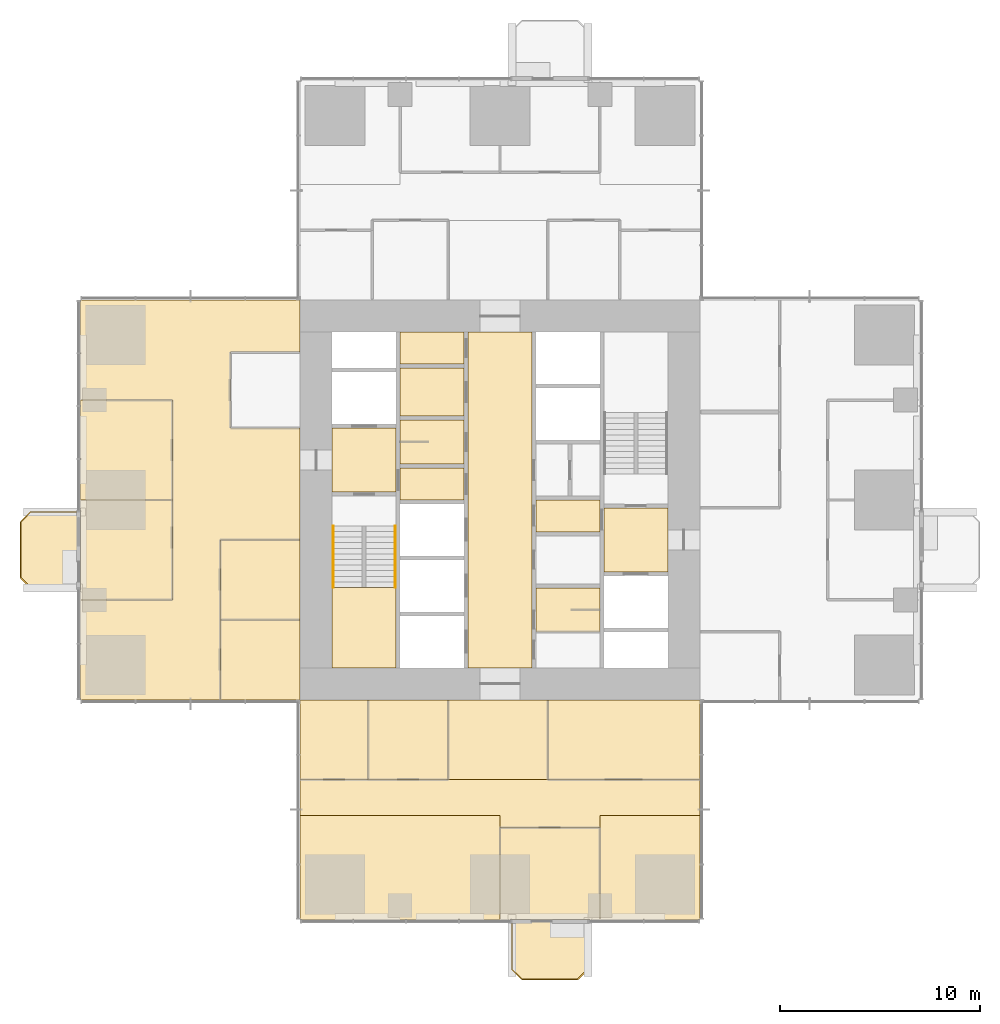
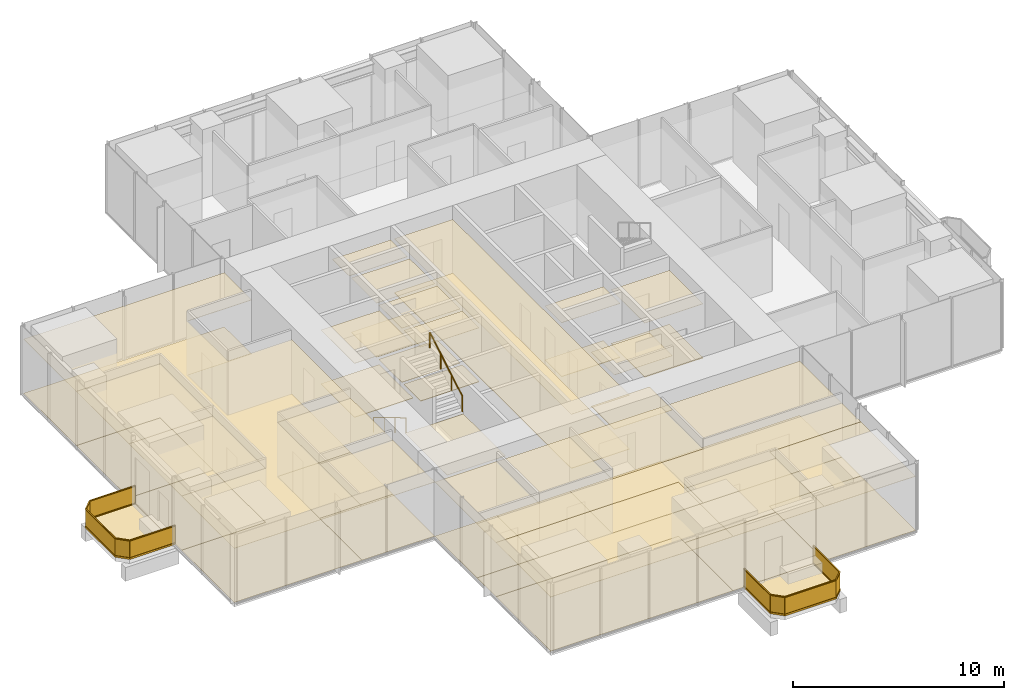
# One storey, part 12 of 14: 46 coverings, 4 railings.
"""IFC4 building model written with IfcOpenShell, lengths in metres."""

from ifc_helpers import new_model, si_unit, direction, frame, origin, origin_2d, place, context, subcontext, project, spatial, polyline, rectangle, circle, outline, extrude, material, layer, layer_set, type_object, element, save


model = new_model("IFC4")

# Units and contexts
model_context = context("Model", 3, precision=1e-05, world=origin(), true_north=direction((0.0, 1.0)))
body_context = subcontext(model_context, "Body", "Model", "MODEL_VIEW")
ifc_project = project(units=[si_unit("LENGTHUNIT", "METRE"), si_unit("AREAUNIT", "SQUARE_METRE"), si_unit("VOLUMEUNIT", "CUBIC_METRE"), si_unit("PLANEANGLEUNIT", "RADIAN"), si_unit("MASSUNIT", "GRAM", prefix="KILO")], contexts=[model_context])

# Site, building, storey
site_placement = place(None, origin())
site = spatial("IfcSite", under=ifc_project, at=site_placement, CompositionType="ELEMENT")
building_placement = place(site_placement, origin())
building = spatial("IfcBuilding", under=site, at=building_placement, Name="Svetlomir Tower", CompositionType="ELEMENT")
storey_placement = place(building_placement, frame((0.0, 0.0, 112.5)))
storey = spatial("IfcBuildingStorey", under=building, at=storey_placement, Name="L26", CompositionType="ELEMENT", Elevation=112.5)

# Railings
ifc_material_1 = material(Name="Bronze anodised aluminium and laminated glass", Category="aluminium")
railing_type_1 = type_object("IfcRailingType", Name="BALCONY GUARD GR1 1100", PredefinedType="GUARDRAIL", material=ifc_material_1)
railing_1_placement = place(storey_placement, frame((21.60009765625, 0.0, 0.0)))
element("IfcRailing", 1, at=railing_1_placement, inside=storey, type_object=railing_type_1, Name="Balcony guard S L26", PredefinedType="GUARDRAIL", context=body_context, shape_type="SweptSolid", body=[
    extrude(rectangle(XDim=0.06005859375, YDim=0.10009765625, at=origin_2d()), frame((0.0, 0.0, 0.050048828125), z_axis=(0.0, -1.0, 0.0), x_axis=(1.0, 0.0, 0.0)), (0.0, 0.0, 1.0), 2.5),
    extrude(rectangle(XDim=0.021484375, YDim=0.960205078125, at=origin_2d()), frame((0.0, 0.0, 0.580078125), z_axis=(0.0, -1.0, 0.0), x_axis=(1.0, 0.0, 0.0)), (0.0, 0.0, 1.0), 2.5),
    extrude(rectangle(XDim=0.06005859375, YDim=0.0400390625, at=origin_2d()), frame((0.0, 0.0, 1.080078125), z_axis=(0.0, -1.0, 0.0), x_axis=(1.0, 0.0, 0.0)), (0.0, 0.0, 1.0), 2.5),
    extrude(rectangle(XDim=0.06005859375, YDim=0.10009765625, at=origin_2d()), frame((0.0, -2.5, 0.050048828125), z_axis=(0.707106781187, -0.707106781187, 0.0), x_axis=(0.707106781187, 0.707106781187, 0.0)), (0.0, 0.0, 1.0), 0.70703125),
    extrude(rectangle(XDim=0.021484375, YDim=0.960205078125, at=origin_2d()), frame((0.0, -2.5, 0.580078125), z_axis=(0.707106781187, -0.707106781187, 0.0), x_axis=(0.707106781187, 0.707106781187, 0.0)), (0.0, 0.0, 1.0), 0.70703125),
    extrude(rectangle(XDim=0.06005859375, YDim=0.0400390625, at=origin_2d()), frame((0.0, -2.5, 1.080078125), z_axis=(0.707106781187, -0.707106781187, 0.0), x_axis=(0.707106781187, 0.707106781187, 0.0)), (0.0, 0.0, 1.0), 0.70703125),
    extrude(rectangle(XDim=0.06005859375, YDim=0.10009765625, at=origin_2d()), frame((0.5, -3.0, 0.050048828125), z_axis=(1.0, 0.0, 0.0), x_axis=(0.0, 1.0, 0.0)), (0.0, 0.0, 1.0), 2.7998046875),
    extrude(rectangle(XDim=0.021484375, YDim=0.960205078125, at=origin_2d()), frame((0.5, -3.0, 0.580078125), z_axis=(1.0, 0.0, 0.0), x_axis=(0.0, 1.0, 0.0)), (0.0, 0.0, 1.0), 2.7998046875),
    extrude(rectangle(XDim=0.06005859375, YDim=0.0400390625, at=origin_2d()), frame((0.5, -3.0, 1.080078125), z_axis=(1.0, 0.0, 0.0), x_axis=(0.0, 1.0, 0.0)), (0.0, 0.0, 1.0), 2.7998046875),
    extrude(rectangle(XDim=0.06005859375, YDim=0.10009765625, at=origin_2d()), frame((3.2998046875, -3.0, 0.050048828125), z_axis=(0.707106781187, 0.707106781187, 0.0), x_axis=(-0.707106781187, 0.707106781187, 0.0)), (0.0, 0.0, 1.0), 0.70703125),
    extrude(rectangle(XDim=0.021484375, YDim=0.960205078125, at=origin_2d()), frame((3.2998046875, -3.0, 0.580078125), z_axis=(0.707106781187, 0.707106781187, 0.0), x_axis=(-0.707106781187, 0.707106781187, 0.0)), (0.0, 0.0, 1.0), 0.70703125),
    extrude(rectangle(XDim=0.06005859375, YDim=0.0400390625, at=origin_2d()), frame((3.2998046875, -3.0, 1.080078125), z_axis=(0.707106781187, 0.707106781187, 0.0), x_axis=(-0.707106781187, 0.707106781187, 0.0)), (0.0, 0.0, 1.0), 0.70703125),
    extrude(rectangle(XDim=0.06005859375, YDim=0.10009765625, at=origin_2d()), frame((3.7998046875, -2.5, 0.050048828125), z_axis=(0.0, 1.0, 0.0), x_axis=(-1.0, 0.0, 0.0)), (0.0, 0.0, 1.0), 2.5),
    extrude(rectangle(XDim=0.021484375, YDim=0.960205078125, at=origin_2d()), frame((3.7998046875, -2.5, 0.580078125), z_axis=(0.0, 1.0, 0.0), x_axis=(-1.0, 0.0, 0.0)), (0.0, 0.0, 1.0), 2.5),
    extrude(rectangle(XDim=0.06005859375, YDim=0.0400390625, at=origin_2d()), frame((3.7998046875, -2.5, 1.080078125), z_axis=(0.0, 1.0, 0.0), x_axis=(-1.0, 0.0, 0.0)), (0.0, 0.0, 1.0), 2.5),
])
railing_2_placement = place(storey_placement, frame((0.0, 20.39990234375, 0.0)))
element("IfcRailing", 2, at=railing_2_placement, inside=storey, type_object=railing_type_1, Name="Balcony guard W L26", PredefinedType="GUARDRAIL", context=body_context, shape_type="SweptSolid", body=[
    extrude(rectangle(XDim=0.06005859375, YDim=0.10009765625, at=origin_2d()), frame((0.0, 0.0, 0.050048828125), z_axis=(-1.0, 0.0, 0.0), x_axis=(0.0, -1.0, 0.0)), (0.0, 0.0, 1.0), 2.5),
    extrude(rectangle(XDim=0.021484375, YDim=0.960205078125, at=origin_2d()), frame((0.0, 0.0, 0.580078125), z_axis=(-1.0, 0.0, 0.0), x_axis=(0.0, -1.0, 0.0)), (0.0, 0.0, 1.0), 2.5),
    extrude(rectangle(XDim=0.06005859375, YDim=0.0400390625, at=origin_2d()), frame((0.0, 0.0, 1.080078125), z_axis=(-1.0, 0.0, 0.0), x_axis=(0.0, -1.0, 0.0)), (0.0, 0.0, 1.0), 2.5),
    extrude(rectangle(XDim=0.06005859375, YDim=0.10009765625, at=origin_2d()), frame((-2.5, 0.0, 0.050048828125), z_axis=(-0.707106781187, -0.707106781187, 0.0), x_axis=(0.707106781187, -0.707106781187, 0.0)), (0.0, 0.0, 1.0), 0.70703125),
    extrude(rectangle(XDim=0.021484375, YDim=0.960205078125, at=origin_2d()), frame((-2.5, 0.0, 0.580078125), z_axis=(-0.707106781187, -0.707106781187, 0.0), x_axis=(0.707106781187, -0.707106781187, 0.0)), (0.0, 0.0, 1.0), 0.70703125),
    extrude(rectangle(XDim=0.06005859375, YDim=0.0400390625, at=origin_2d()), frame((-2.5, 0.0, 1.080078125), z_axis=(-0.707106781187, -0.707106781187, 0.0), x_axis=(0.707106781187, -0.707106781187, 0.0)), (0.0, 0.0, 1.0), 0.70703125),
    extrude(rectangle(XDim=0.06005859375, YDim=0.10009765625, at=origin_2d()), frame((-3.0, -0.5, 0.050048828125), z_axis=(0.0, -1.0, 0.0), x_axis=(1.0, 0.0, 0.0)), (0.0, 0.0, 1.0), 2.7998046875),
    extrude(rectangle(XDim=0.021484375, YDim=0.960205078125, at=origin_2d()), frame((-3.0, -0.5, 0.580078125), z_axis=(0.0, -1.0, 0.0), x_axis=(1.0, 0.0, 0.0)), (0.0, 0.0, 1.0), 2.7998046875),
    extrude(rectangle(XDim=0.06005859375, YDim=0.0400390625, at=origin_2d()), frame((-3.0, -0.5, 1.080078125), z_axis=(0.0, -1.0, 0.0), x_axis=(1.0, 0.0, 0.0)), (0.0, 0.0, 1.0), 2.7998046875),
    extrude(rectangle(XDim=0.06005859375, YDim=0.10009765625, at=origin_2d()), frame((-3.0, -3.2998046875, 0.050048828125), z_axis=(0.707106781187, -0.707106781187, 0.0), x_axis=(0.707106781187, 0.707106781187, 0.0)), (0.0, 0.0, 1.0), 0.70703125),
    extrude(rectangle(XDim=0.021484375, YDim=0.960205078125, at=origin_2d()), frame((-3.0, -3.2998046875, 0.580078125), z_axis=(0.707106781187, -0.707106781187, 0.0), x_axis=(0.707106781187, 0.707106781187, 0.0)), (0.0, 0.0, 1.0), 0.70703125),
    extrude(rectangle(XDim=0.06005859375, YDim=0.0400390625, at=origin_2d()), frame((-3.0, -3.2998046875, 1.080078125), z_axis=(0.707106781187, -0.707106781187, 0.0), x_axis=(0.707106781187, 0.707106781187, 0.0)), (0.0, 0.0, 1.0), 0.70703125),
    extrude(rectangle(XDim=0.06005859375, YDim=0.10009765625, at=origin_2d()), frame((-2.5, -3.7998046875, 0.050048828125), z_axis=(1.0, 0.0, 0.0), x_axis=(0.0, 1.0, 0.0)), (0.0, 0.0, 1.0), 2.5),
    extrude(rectangle(XDim=0.021484375, YDim=0.960205078125, at=origin_2d()), frame((-2.5, -3.7998046875, 0.580078125), z_axis=(1.0, 0.0, 0.0), x_axis=(0.0, 1.0, 0.0)), (0.0, 0.0, 1.0), 2.5),
    extrude(rectangle(XDim=0.06005859375, YDim=0.0400390625, at=origin_2d()), frame((-2.5, -3.7998046875, 1.080078125), z_axis=(1.0, 0.0, 0.0), x_axis=(0.0, 1.0, 0.0)), (0.0, 0.0, 1.0), 2.5),
])

# Coverings
ifc_material_2 = material(Name="Granite paving slabs on pedestals", Category="masonry")
ifc_layer_1 = layer(ifc_material_2, 0.0400390625)
ifc_layer_set_1 = layer_set([ifc_layer_1], Name="Granite paving slabs on pedestals")
covering_type_1 = type_object("IfcCoveringType", Name="BALCONY PAVING 40", PredefinedType="USERDEFINED", material=ifc_layer_set_1)
covering_1_placement = place(storey_placement, origin())
element("IfcCovering", 3, at=covering_1_placement, inside=storey, type_object=covering_type_1, Name="Balcony paving S L26", ObjectType="BALCONY PAVING", PredefinedType="USERDEFINED", context=body_context, shape_type="SweptSolid", body=[
    extrude(outline(polyline([(21.60009765625, -2.5), (22.10009765625, -3.0), (24.89990234375, -3.0), (25.39990234375, -2.5), (25.39990234375, 0.0), (21.60009765625, 0.0), (21.60009765625, -2.5)])), origin(), (0.0, 0.0, 1.0), 0.0400390625),
])
covering_2_placement = place(storey_placement, origin())
element("IfcCovering", 4, at=covering_2_placement, inside=storey, type_object=covering_type_1, Name="Balcony paving W L26", ObjectType="BALCONY PAVING", PredefinedType="USERDEFINED", context=body_context, shape_type="SweptSolid", body=[
    extrude(outline(polyline([(-2.5, 16.60009765625), (0.0, 16.60009765625), (0.0, 20.39990234375), (-2.5, 20.39990234375), (-3.0, 19.89990234375), (-3.0, 17.10009765625), (-2.5, 16.60009765625)])), origin(), (0.0, 0.0, 1.0), 0.0400390625),
])
ifc_material_3 = material(Name="Carpet tile", Category="textile")
ifc_layer_2 = layer(ifc_material_3, 0.010009765625)
ifc_layer_set_2 = layer_set([ifc_layer_2], Name="Carpet tile")
covering_type_2 = type_object("IfcCoveringType", Name="CARPET TILE FLOOR 10", PredefinedType="FLOORING", material=ifc_layer_set_2)
covering_3_placement = place(storey_placement, origin())
element("IfcCovering", 5, at=covering_3_placement, inside=storey, type_object=covering_type_2, Name="Floor finish L26-16", PredefinedType="FLOORING", context=body_context, shape_type="SweptSolid", body=[
    extrude(outline(polyline([(11.0, 7.0), (14.39990234375, 7.0), (14.39990234375, 11.0), (11.0, 11.0), (11.0, 7.0)])), origin(), (0.0, 0.0, 1.0), 0.010009765625),
])
covering_4_placement = place(storey_placement, origin())
element("IfcCovering", 6, at=covering_4_placement, inside=storey, type_object=covering_type_2, Name="Floor finish L26-17", PredefinedType="FLOORING", context=body_context, shape_type="SweptSolid", body=[
    extrude(outline(polyline([(14.39990234375, 7.0), (18.39990234375, 7.0), (18.39990234375, 11.0), (14.39990234375, 11.0), (14.39990234375, 7.0)])), origin(), (0.0, 0.0, 1.0), 0.010009765625),
])
covering_5_placement = place(storey_placement, origin())
element("IfcCovering", 7, at=covering_5_placement, inside=storey, type_object=covering_type_2, Name="Floor finish L26-18", PredefinedType="FLOORING", context=body_context, shape_type="SweptSolid", body=[
    extrude(outline(polyline([(23.39990234375, 7.0), (31.0, 7.0), (31.0, 11.0), (23.39990234375, 11.0), (23.39990234375, 7.0)])), origin(), (0.0, 0.0, 1.0), 0.010009765625),
])
covering_6_placement = place(storey_placement, origin())
element("IfcCovering", 8, at=covering_6_placement, inside=storey, type_object=covering_type_2, Name="Floor finish L26-19", PredefinedType="FLOORING", context=body_context, shape_type="SweptSolid", body=[
    extrude(outline(polyline([(21.0, 0.0), (26.0, 0.0), (26.0, 4.60009765625), (21.0, 4.60009765625), (21.0, 0.0)])), origin(), (0.0, 0.0, 1.0), 0.010009765625),
])
covering_7_placement = place(storey_placement, origin())
element("IfcCovering", 9, at=covering_7_placement, inside=storey, type_object=covering_type_2, Name="Floor finish L26-31", PredefinedType="FLOORING", context=body_context, shape_type="SweptSolid", body=[
    extrude(outline(polyline([(7.0, 11.0), (11.0, 11.0), (11.0, 15.0), (7.0, 15.0), (7.0, 11.0)])), origin(), (0.0, 0.0, 1.0), 0.010009765625),
])
covering_8_placement = place(storey_placement, origin())
element("IfcCovering", 10, at=covering_8_placement, inside=storey, type_object=covering_type_2, Name="Floor finish L26-32", PredefinedType="FLOORING", context=body_context, shape_type="SweptSolid", body=[
    extrude(outline(polyline([(7.0, 15.0), (11.0, 15.0), (11.0, 19.0), (7.0, 19.0), (7.0, 15.0)])), origin(), (0.0, 0.0, 1.0), 0.010009765625),
])
covering_9_placement = place(storey_placement, origin())
element("IfcCovering", 11, at=covering_9_placement, inside=storey, type_object=covering_type_2, Name="Floor finish L26-34", PredefinedType="FLOORING", context=body_context, shape_type="SweptSolid", body=[
    extrude(outline(polyline([(0.0, 16.0), (4.60009765625, 16.0), (4.60009765625, 21.0), (0.0, 21.0), (0.0, 16.0)])), origin(), (0.0, 0.0, 1.0), 0.010009765625),
])
covering_10_placement = place(storey_placement, origin())
element("IfcCovering", 12, at=covering_10_placement, inside=storey, type_object=covering_type_2, Name="Floor finish L26-35", PredefinedType="FLOORING", context=body_context, shape_type="SweptSolid", body=[
    extrude(outline(polyline([(0.0, 21.0), (4.60009765625, 21.0), (4.60009765625, 26.0), (0.0, 26.0), (0.0, 21.0)])), origin(), (0.0, 0.0, 1.0), 0.010009765625),
])
covering_11_placement = place(storey_placement, origin())
element("IfcCovering", 13, at=covering_11_placement, inside=storey, type_object=covering_type_2, Name="Floor finish L26-36", PredefinedType="FLOORING", context=body_context, shape_type="SweptSolid", body=[
    extrude(outline(polyline([(21.0, 4.60009765625), (21.0, 5.199951171875), (11.0, 5.199951171875), (11.0, 7.0), (31.0, 7.0), (31.0, 5.199951171875), (26.0, 5.199951171875), (26.0, 4.60009765625), (21.0, 4.60009765625)])), origin(), (0.0, 0.0, 1.0), 0.010009765625),
])
covering_12_placement = place(storey_placement, origin())
element("IfcCovering", 14, at=covering_12_placement, inside=storey, type_object=covering_type_2, Name="Floor finish L26-38", PredefinedType="FLOORING", context=body_context, shape_type="SweptSolid", body=[
    extrude(outline(polyline([(21.0, 5.199951171875), (21.0, 0.0), (11.0, 0.0), (11.0, 5.199951171875), (21.0, 5.199951171875)])), origin(), (0.0, 0.0, 1.0), 0.010009765625),
])
covering_13_placement = place(storey_placement, origin())
element("IfcCovering", 15, at=covering_13_placement, inside=storey, type_object=covering_type_2, Name="Floor finish L26-39", PredefinedType="FLOORING", context=body_context, shape_type="SweptSolid", body=[
    extrude(outline(polyline([(23.39990234375, 11.0), (23.39990234375, 7.0), (18.39990234375, 7.0), (18.39990234375, 11.0), (23.39990234375, 11.0)])), origin(), (0.0, 0.0, 1.0), 0.010009765625),
])
covering_14_placement = place(storey_placement, origin())
element("IfcCovering", 16, at=covering_14_placement, inside=storey, type_object=covering_type_2, Name="Floor finish L26-40", PredefinedType="FLOORING", context=body_context, shape_type="SweptSolid", body=[
    extrude(outline(polyline([(26.0, 0.0), (26.0, 5.199951171875), (31.0, 5.199951171875), (31.0, 0.0), (26.0, 0.0)])), origin(), (0.0, 0.0, 1.0), 0.010009765625),
])
covering_15_placement = place(storey_placement, origin())
element("IfcCovering", 17, at=covering_15_placement, inside=storey, type_object=covering_type_2, Name="Floor finish L26-45", PredefinedType="FLOORING", context=body_context, shape_type="SweptSolid", body=[
    extrude(outline(polyline([(11.0, 28.39990234375), (7.5, 28.39990234375), (7.5, 24.60009765625), (11.0, 24.60009765625), (11.0, 19.0), (7.0, 19.0), (7.0, 11.0), (0.0, 11.0), (0.0, 16.0), (4.60009765625, 16.0), (4.60009765625, 26.0), (0.0, 26.0), (0.0, 31.0), (11.0, 31.0), (11.0, 28.39990234375)])), origin(), (0.0, 0.0, 1.0), 0.010009765625),
])
ifc_material_4 = material(Name="Ceramic floor tile", Category="ceramic")
ifc_layer_3 = layer(ifc_material_4, 0.014892578125)
ifc_layer_set_3 = layer_set([ifc_layer_3], Name="Ceramic floor tile")
covering_type_3 = type_object("IfcCoveringType", Name="CERAMIC TILE FLOOR 15", PredefinedType="FLOORING", material=ifc_layer_set_3)
covering_16_placement = place(storey_placement, origin())
element("IfcCovering", 18, at=covering_16_placement, inside=storey, type_object=covering_type_3, Name="Floor finish L26-04", PredefinedType="FLOORING", context=body_context, shape_type="SweptSolid", body=[
    extrude(outline(polyline([(16.0, 22.800048828125), (19.199951171875, 22.800048828125), (19.199951171875, 25.0), (16.0, 25.0), (16.0, 22.800048828125)])), origin(), (0.0, 0.0, 1.0), 0.014892578125),
])
covering_17_placement = place(storey_placement, origin())
element("IfcCovering", 19, at=covering_17_placement, inside=storey, type_object=covering_type_3, Name="Floor finish L26-05", PredefinedType="FLOORING", context=body_context, shape_type="SweptSolid", body=[
    extrude(outline(polyline([(16.0, 25.199951171875), (19.199951171875, 25.199951171875), (19.199951171875, 27.60009765625), (16.0, 27.60009765625), (16.0, 25.199951171875)])), origin(), (0.0, 0.0, 1.0), 0.014892578125),
])
covering_18_placement = place(storey_placement, origin())
element("IfcCovering", 20, at=covering_18_placement, inside=storey, type_object=covering_type_3, Name="Floor finish L26-09", PredefinedType="FLOORING", context=body_context, shape_type="SweptSolid", body=[
    extrude(outline(polyline([(22.800048828125, 14.39990234375), (26.0, 14.39990234375), (26.0, 16.60009765625), (22.800048828125, 16.60009765625), (22.800048828125, 14.39990234375)])), origin(), (0.0, 0.0, 1.0), 0.014892578125),
])

# Railings
ifc_material_5 = material(Name="Stainless steel", Category="steel")
railing_type_2 = type_object("IfcRailingType", Name="HANDRAIL HR1 900", PredefinedType="HANDRAIL", material=ifc_material_5)
railing_3_placement = place(storey_placement, frame((12.64990234375, 19.699951171875, 0.166748046875)))
element("IfcRailing", 21, at=railing_3_placement, inside=storey, type_object=railing_type_2, Name="Handrail S1 flight 1 L26", PredefinedType="HANDRAIL", context=body_context, shape_type="SweptSolid", body=[
    extrude(circle(Radius=0.02392578125, at=origin_2d()), frame((0.0, 0.0, 0.8759765625), z_axis=(0.0, -0.859290745958, 0.51148745235), x_axis=(1.0, 0.0, 0.0)), (0.0, 0.0, 1.0), 3.584228515625),
    extrude(circle(Radius=0.02099609375, at=origin_2d()), origin(), (0.0, 0.0, 1.0), 0.851806640625),
    extrude(circle(Radius=0.02099609375, at=origin_2d()), frame((0.0, -1.026611328125, 0.611083984375)), (0.0, 0.0, 1.0), 0.851806640625),
    extrude(circle(Radius=0.02099609375, at=origin_2d()), frame((0.0, -2.05322265625, 1.22216796875)), (0.0, 0.0, 1.0), 0.851806640625),
    extrude(circle(Radius=0.02099609375, at=origin_2d()), frame((0.0, -3.079833984375, 1.833251953125)), (0.0, 0.0, 1.0), 0.851806640625),
])
railing_4_placement = place(storey_placement, frame((15.75, 16.6201171875, 2.166748046875)))
element("IfcRailing", 22, at=railing_4_placement, inside=storey, type_object=railing_type_2, Name="Handrail S1 flight 2 L26", PredefinedType="HANDRAIL", context=body_context, shape_type="SweptSolid", body=[
    extrude(circle(Radius=0.02392578125, at=origin_2d()), frame((0.0, 0.0, 0.8759765625), z_axis=(0.0, 0.859290745958, 0.51148745235), x_axis=(-1.0, 0.0, 0.0)), (0.0, 0.0, 1.0), 3.584228515625),
    extrude(circle(Radius=0.02099609375, at=origin_2d()), origin(), (0.0, 0.0, 1.0), 0.851806640625),
    extrude(circle(Radius=0.02099609375, at=origin_2d()), frame((0.0, 1.026611328125, 0.611083984375)), (0.0, 0.0, 1.0), 0.851806640625),
    extrude(circle(Radius=0.02099609375, at=origin_2d()), frame((0.0, 2.05322265625, 1.22216796875)), (0.0, 0.0, 1.0), 0.851806640625),
    extrude(circle(Radius=0.02099609375, at=origin_2d()), frame((0.0, 3.079833984375, 1.833251953125)), (0.0, 0.0, 1.0), 0.851806640625),
])

# Coverings
ifc_material_6 = material(Name="Moisture resistant plasterboard ceiling", Category="gypsum")
ifc_layer_4 = layer(ifc_material_6, 0.012451171875)
ifc_layer_set_4 = layer_set([ifc_layer_4], Name="Moisture resistant plasterboard ceiling")
covering_type_4 = type_object("IfcCoveringType", Name="MOISTURE RESISTANT CEILING 12.5", PredefinedType="CEILING", material=ifc_layer_set_4)
covering_19_placement = place(storey_placement, frame((0.0, 0.0, 3.137451171875)))
element("IfcCovering", 23, at=covering_19_placement, inside=storey, type_object=covering_type_4, Name="Ceiling L26-04", PredefinedType="CEILING", context=body_context, shape_type="SweptSolid", body=[
    extrude(outline(polyline([(16.0, 22.800048828125), (19.199951171875, 22.800048828125), (19.199951171875, 25.0), (16.0, 25.0), (16.0, 22.800048828125)])), origin(), (0.0, 0.0, 1.0), 0.012451171875),
])
covering_20_placement = place(storey_placement, frame((0.0, 0.0, 3.137451171875)))
element("IfcCovering", 24, at=covering_20_placement, inside=storey, type_object=covering_type_4, Name="Ceiling L26-05", PredefinedType="CEILING", context=body_context, shape_type="SweptSolid", body=[
    extrude(outline(polyline([(16.0, 25.199951171875), (19.199951171875, 25.199951171875), (19.199951171875, 27.60009765625), (16.0, 27.60009765625), (16.0, 25.199951171875)])), origin(), (0.0, 0.0, 1.0), 0.012451171875),
])
covering_21_placement = place(storey_placement, frame((0.0, 0.0, 3.137451171875)))
element("IfcCovering", 25, at=covering_21_placement, inside=storey, type_object=covering_type_4, Name="Ceiling L26-09", PredefinedType="CEILING", context=body_context, shape_type="SweptSolid", body=[
    extrude(outline(polyline([(22.800048828125, 14.39990234375), (26.0, 14.39990234375), (26.0, 16.60009765625), (22.800048828125, 16.60009765625), (22.800048828125, 14.39990234375)])), origin(), (0.0, 0.0, 1.0), 0.012451171875),
])
ifc_material_7 = material(Name="Gypsum plasterboard ceiling", Category="gypsum")
ifc_layer_5 = layer(ifc_material_7, 0.014892578125)
ifc_layer_set_5 = layer_set([ifc_layer_5], Name="Gypsum plasterboard ceiling")
covering_type_5 = type_object("IfcCoveringType", Name="PLASTERBOARD CEILING 15", PredefinedType="CEILING", material=ifc_layer_set_5)
covering_22_placement = place(storey_placement, frame((0.0, 0.0, 3.135009765625)))
element("IfcCovering", 26, at=covering_22_placement, inside=storey, type_object=covering_type_5, Name="Ceiling L26-02", PredefinedType="CEILING", context=body_context, shape_type="SweptSolid", body=[
    extrude(outline(polyline([(12.60009765625, 21.39990234375), (15.800048828125, 21.39990234375), (15.800048828125, 24.60009765625), (12.60009765625, 24.60009765625), (12.60009765625, 21.39990234375)])), origin(), (0.0, 0.0, 1.0), 0.014892578125),
])
covering_23_placement = place(storey_placement, frame((0.0, 0.0, 3.135009765625)))
element("IfcCovering", 27, at=covering_23_placement, inside=storey, type_object=covering_type_5, Name="Ceiling L26-03", PredefinedType="CEILING", context=body_context, shape_type="SweptSolid", body=[
    extrude(outline(polyline([(16.0, 21.0), (19.199951171875, 21.0), (19.199951171875, 22.60009765625), (16.0, 22.60009765625), (16.0, 21.0)])), origin(), (0.0, 0.0, 1.0), 0.014892578125),
])
covering_24_placement = place(storey_placement, frame((0.0, 0.0, 3.135009765625)))
element("IfcCovering", 28, at=covering_24_placement, inside=storey, type_object=covering_type_5, Name="Ceiling L26-06", PredefinedType="CEILING", context=body_context, shape_type="SweptSolid", body=[
    extrude(outline(polyline([(16.0, 27.800048828125), (19.199951171875, 27.800048828125), (19.199951171875, 29.39990234375), (16.0, 29.39990234375), (16.0, 27.800048828125)])), origin(), (0.0, 0.0, 1.0), 0.014892578125),
])
covering_25_placement = place(storey_placement, frame((0.0, 0.0, 3.135009765625)))
element("IfcCovering", 29, at=covering_25_placement, inside=storey, type_object=covering_type_5, Name="Ceiling L26-07", PredefinedType="CEILING", context=body_context, shape_type="SweptSolid", body=[
    extrude(outline(polyline([(19.39990234375, 12.60009765625), (22.60009765625, 12.60009765625), (22.60009765625, 29.39990234375), (19.39990234375, 29.39990234375), (19.39990234375, 12.60009765625)])), origin(), (0.0, 0.0, 1.0), 0.014892578125),
])
covering_26_placement = place(storey_placement, frame((0.0, 0.0, 3.135009765625)))
element("IfcCovering", 30, at=covering_26_placement, inside=storey, type_object=covering_type_5, Name="Ceiling L26-11", PredefinedType="CEILING", context=body_context, shape_type="SweptSolid", body=[
    extrude(outline(polyline([(22.800048828125, 19.39990234375), (26.0, 19.39990234375), (26.0, 21.0), (22.800048828125, 21.0), (22.800048828125, 19.39990234375)])), origin(), (0.0, 0.0, 1.0), 0.014892578125),
])
covering_27_placement = place(storey_placement, frame((0.0, 0.0, 3.135009765625)))
element("IfcCovering", 31, at=covering_27_placement, inside=storey, type_object=covering_type_5, Name="Ceiling L26-12", PredefinedType="CEILING", context=body_context, shape_type="SweptSolid", body=[
    extrude(outline(polyline([(26.199951171875, 17.39990234375), (29.39990234375, 17.39990234375), (29.39990234375, 20.60009765625), (26.199951171875, 20.60009765625), (26.199951171875, 17.39990234375)])), origin(), (0.0, 0.0, 1.0), 0.014892578125),
])
ifc_material_8 = material(Name="Studded rubber floor finish", Category="rubber")
ifc_layer_6 = layer(ifc_material_8, 0.006103515625)
ifc_layer_set_6 = layer_set([ifc_layer_6], Name="Studded rubber floor finish")
covering_type_6 = type_object("IfcCoveringType", Name="RUBBER LANDING FINISH 6", PredefinedType="FLOORING", material=ifc_layer_set_6)
covering_28_placement = place(storey_placement, frame((0.0, 0.0, 2.0)))
element("IfcCovering", 32, at=covering_28_placement, inside=storey, type_object=covering_type_6, Name="Stair S1 landing finish L26", PredefinedType="FLOORING", context=body_context, shape_type="SweptSolid", body=[
    extrude(outline(polyline([(12.60009765625, 12.60009765625), (15.800048828125, 12.60009765625), (15.800048828125, 16.6201171875), (12.60009765625, 16.6201171875), (12.60009765625, 12.60009765625)])), origin(), (0.0, 0.0, 1.0), 0.006103515625),
])
ifc_material_9 = material(Name="Mineral fibre ceiling tile", Category="mineral")
ifc_layer_7 = layer(ifc_material_9, 0.02001953125)
ifc_layer_set_7 = layer_set([ifc_layer_7], Name="Mineral fibre ceiling tile")
covering_type_7 = type_object("IfcCoveringType", Name="SUSPENDED CEILING 20", PredefinedType="CEILING", material=ifc_layer_set_7)
covering_29_placement = place(storey_placement, frame((0.0, 0.0, 3.1298828125)))
element("IfcCovering", 33, at=covering_29_placement, inside=storey, type_object=covering_type_7, Name="Ceiling L26-16", PredefinedType="CEILING", context=body_context, shape_type="SweptSolid", body=[
    extrude(outline(polyline([(11.0, 7.0), (14.39990234375, 7.0), (14.39990234375, 11.0), (11.0, 11.0), (11.0, 7.0)])), origin(), (0.0, 0.0, 1.0), 0.02001953125),
])
covering_30_placement = place(storey_placement, frame((0.0, 0.0, 3.1298828125)))
element("IfcCovering", 34, at=covering_30_placement, inside=storey, type_object=covering_type_7, Name="Ceiling L26-17", PredefinedType="CEILING", context=body_context, shape_type="SweptSolid", body=[
    extrude(outline(polyline([(14.39990234375, 7.0), (18.39990234375, 7.0), (18.39990234375, 11.0), (14.39990234375, 11.0), (14.39990234375, 7.0)])), origin(), (0.0, 0.0, 1.0), 0.02001953125),
])
covering_31_placement = place(storey_placement, frame((0.0, 0.0, 3.1298828125)))
element("IfcCovering", 35, at=covering_31_placement, inside=storey, type_object=covering_type_7, Name="Ceiling L26-18", PredefinedType="CEILING", context=body_context, shape_type="SweptSolid", body=[
    extrude(outline(polyline([(23.39990234375, 7.0), (31.0, 7.0), (31.0, 11.0), (23.39990234375, 11.0), (23.39990234375, 7.0)])), origin(), (0.0, 0.0, 1.0), 0.02001953125),
])
covering_32_placement = place(storey_placement, frame((0.0, 0.0, 3.1298828125)))
element("IfcCovering", 36, at=covering_32_placement, inside=storey, type_object=covering_type_7, Name="Ceiling L26-19", PredefinedType="CEILING", context=body_context, shape_type="SweptSolid", body=[
    extrude(outline(polyline([(21.0, 0.0), (26.0, 0.0), (26.0, 4.60009765625), (21.0, 4.60009765625), (21.0, 0.0)])), origin(), (0.0, 0.0, 1.0), 0.02001953125),
])
covering_33_placement = place(storey_placement, frame((0.0, 0.0, 3.1298828125)))
element("IfcCovering", 37, at=covering_33_placement, inside=storey, type_object=covering_type_7, Name="Ceiling L26-31", PredefinedType="CEILING", context=body_context, shape_type="SweptSolid", body=[
    extrude(outline(polyline([(7.0, 11.0), (11.0, 11.0), (11.0, 15.0), (7.0, 15.0), (7.0, 11.0)])), origin(), (0.0, 0.0, 1.0), 0.02001953125),
])
covering_34_placement = place(storey_placement, frame((0.0, 0.0, 3.1298828125)))
element("IfcCovering", 38, at=covering_34_placement, inside=storey, type_object=covering_type_7, Name="Ceiling L26-32", PredefinedType="CEILING", context=body_context, shape_type="SweptSolid", body=[
    extrude(outline(polyline([(7.0, 15.0), (11.0, 15.0), (11.0, 19.0), (7.0, 19.0), (7.0, 15.0)])), origin(), (0.0, 0.0, 1.0), 0.02001953125),
])
covering_35_placement = place(storey_placement, frame((0.0, 0.0, 3.1298828125)))
element("IfcCovering", 39, at=covering_35_placement, inside=storey, type_object=covering_type_7, Name="Ceiling L26-34", PredefinedType="CEILING", context=body_context, shape_type="SweptSolid", body=[
    extrude(outline(polyline([(0.0, 16.0), (4.60009765625, 16.0), (4.60009765625, 21.0), (0.0, 21.0), (0.0, 16.0)])), origin(), (0.0, 0.0, 1.0), 0.02001953125),
])
covering_36_placement = place(storey_placement, frame((0.0, 0.0, 3.1298828125)))
element("IfcCovering", 40, at=covering_36_placement, inside=storey, type_object=covering_type_7, Name="Ceiling L26-35", PredefinedType="CEILING", context=body_context, shape_type="SweptSolid", body=[
    extrude(outline(polyline([(0.0, 21.0), (4.60009765625, 21.0), (4.60009765625, 26.0), (0.0, 26.0), (0.0, 21.0)])), origin(), (0.0, 0.0, 1.0), 0.02001953125),
])
covering_37_placement = place(storey_placement, frame((0.0, 0.0, 3.1298828125)))
element("IfcCovering", 41, at=covering_37_placement, inside=storey, type_object=covering_type_7, Name="Ceiling L26-36", PredefinedType="CEILING", context=body_context, shape_type="SweptSolid", body=[
    extrude(outline(polyline([(21.0, 4.60009765625), (21.0, 5.199951171875), (11.0, 5.199951171875), (11.0, 7.0), (31.0, 7.0), (31.0, 5.199951171875), (26.0, 5.199951171875), (26.0, 4.60009765625), (21.0, 4.60009765625)])), origin(), (0.0, 0.0, 1.0), 0.02001953125),
])
covering_38_placement = place(storey_placement, frame((0.0, 0.0, 3.1298828125)))
element("IfcCovering", 42, at=covering_38_placement, inside=storey, type_object=covering_type_7, Name="Ceiling L26-38", PredefinedType="CEILING", context=body_context, shape_type="SweptSolid", body=[
    extrude(outline(polyline([(21.0, 5.199951171875), (21.0, 0.0), (11.0, 0.0), (11.0, 5.199951171875), (21.0, 5.199951171875)])), origin(), (0.0, 0.0, 1.0), 0.02001953125),
])
covering_39_placement = place(storey_placement, frame((0.0, 0.0, 3.1298828125)))
element("IfcCovering", 43, at=covering_39_placement, inside=storey, type_object=covering_type_7, Name="Ceiling L26-39", PredefinedType="CEILING", context=body_context, shape_type="SweptSolid", body=[
    extrude(outline(polyline([(23.39990234375, 11.0), (23.39990234375, 7.0), (18.39990234375, 7.0), (18.39990234375, 11.0), (23.39990234375, 11.0)])), origin(), (0.0, 0.0, 1.0), 0.02001953125),
])
covering_40_placement = place(storey_placement, frame((0.0, 0.0, 3.1298828125)))
element("IfcCovering", 44, at=covering_40_placement, inside=storey, type_object=covering_type_7, Name="Ceiling L26-40", PredefinedType="CEILING", context=body_context, shape_type="SweptSolid", body=[
    extrude(outline(polyline([(26.0, 0.0), (26.0, 5.199951171875), (31.0, 5.199951171875), (31.0, 0.0), (26.0, 0.0)])), origin(), (0.0, 0.0, 1.0), 0.02001953125),
])
covering_41_placement = place(storey_placement, frame((0.0, 0.0, 3.1298828125)))
element("IfcCovering", 45, at=covering_41_placement, inside=storey, type_object=covering_type_7, Name="Ceiling L26-45", PredefinedType="CEILING", context=body_context, shape_type="SweptSolid", body=[
    extrude(outline(polyline([(11.0, 28.39990234375), (7.5, 28.39990234375), (7.5, 24.60009765625), (11.0, 24.60009765625), (11.0, 19.0), (7.0, 19.0), (7.0, 11.0), (0.0, 11.0), (0.0, 16.0), (4.60009765625, 16.0), (4.60009765625, 26.0), (0.0, 26.0), (0.0, 31.0), (11.0, 31.0), (11.0, 28.39990234375)])), origin(), (0.0, 0.0, 1.0), 0.02001953125),
])
ifc_material_10 = material(Name="Bronze-aggregate terrazzo", Category="stone")
ifc_layer_8 = layer(ifc_material_10, 0.030029296875)
ifc_layer_set_8 = layer_set([ifc_layer_8], Name="Bronze-aggregate terrazzo")
covering_type_8 = type_object("IfcCoveringType", Name="TERRAZZO FLOOR 30", PredefinedType="FLOORING", material=ifc_layer_set_8)
covering_42_placement = place(storey_placement, origin())
element("IfcCovering", 46, at=covering_42_placement, inside=storey, type_object=covering_type_8, Name="Floor finish L26-02", PredefinedType="FLOORING", context=body_context, shape_type="SweptSolid", body=[
    extrude(outline(polyline([(12.60009765625, 21.39990234375), (15.800048828125, 21.39990234375), (15.800048828125, 24.60009765625), (12.60009765625, 24.60009765625), (12.60009765625, 21.39990234375)])), origin(), (0.0, 0.0, 1.0), 0.030029296875),
])
covering_43_placement = place(storey_placement, origin())
element("IfcCovering", 47, at=covering_43_placement, inside=storey, type_object=covering_type_8, Name="Floor finish L26-03", PredefinedType="FLOORING", context=body_context, shape_type="SweptSolid", body=[
    extrude(outline(polyline([(16.0, 21.0), (19.199951171875, 21.0), (19.199951171875, 22.60009765625), (16.0, 22.60009765625), (16.0, 21.0)])), origin(), (0.0, 0.0, 1.0), 0.030029296875),
])
covering_44_placement = place(storey_placement, origin())
element("IfcCovering", 48, at=covering_44_placement, inside=storey, type_object=covering_type_8, Name="Floor finish L26-07", PredefinedType="FLOORING", context=body_context, shape_type="SweptSolid", body=[
    extrude(outline(polyline([(19.39990234375, 12.60009765625), (22.60009765625, 12.60009765625), (22.60009765625, 29.39990234375), (19.39990234375, 29.39990234375), (19.39990234375, 12.60009765625)])), origin(), (0.0, 0.0, 1.0), 0.030029296875),
])
covering_45_placement = place(storey_placement, origin())
element("IfcCovering", 49, at=covering_45_placement, inside=storey, type_object=covering_type_8, Name="Floor finish L26-11", PredefinedType="FLOORING", context=body_context, shape_type="SweptSolid", body=[
    extrude(outline(polyline([(22.800048828125, 19.39990234375), (26.0, 19.39990234375), (26.0, 21.0), (22.800048828125, 21.0), (22.800048828125, 19.39990234375)])), origin(), (0.0, 0.0, 1.0), 0.030029296875),
])
covering_46_placement = place(storey_placement, origin())
element("IfcCovering", 50, at=covering_46_placement, inside=storey, type_object=covering_type_8, Name="Floor finish L26-12", PredefinedType="FLOORING", context=body_context, shape_type="SweptSolid", body=[
    extrude(outline(polyline([(26.199951171875, 17.39990234375), (29.39990234375, 17.39990234375), (29.39990234375, 20.60009765625), (26.199951171875, 20.60009765625), (26.199951171875, 17.39990234375)])), origin(), (0.0, 0.0, 1.0), 0.030029296875),
])

save(model, "model.ifc")
